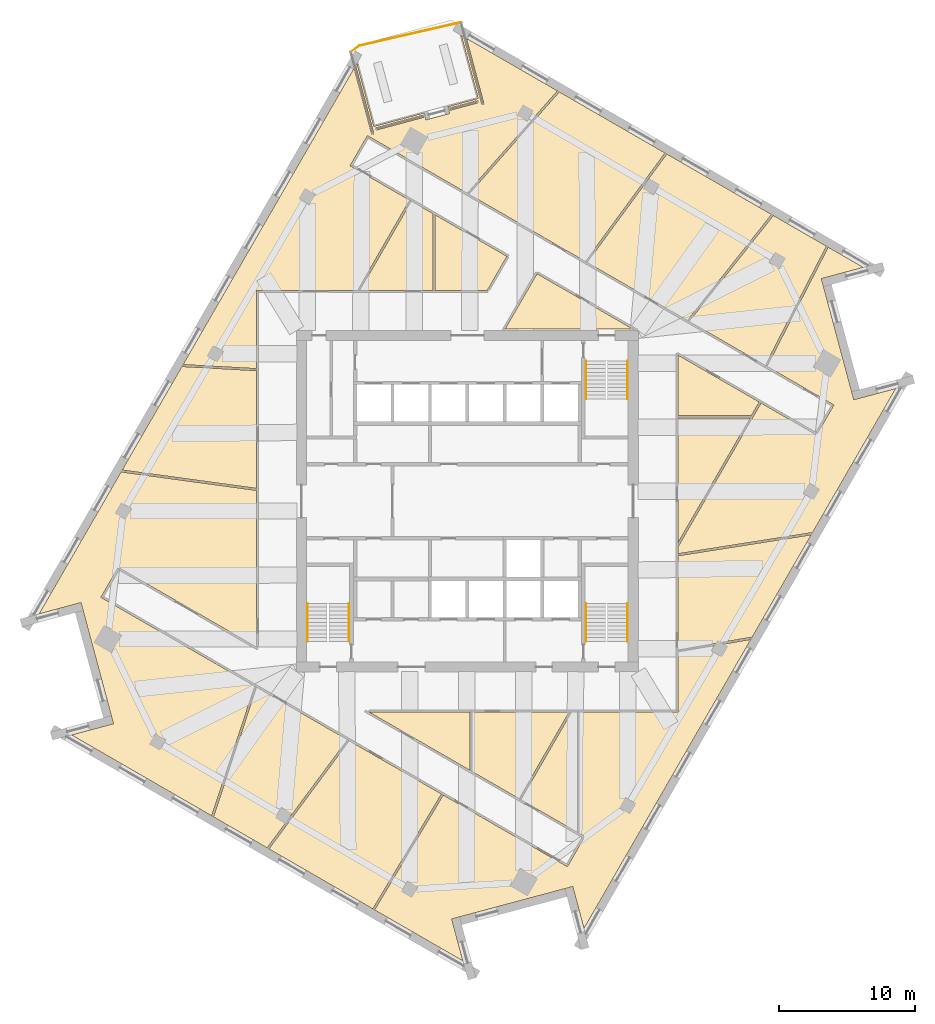
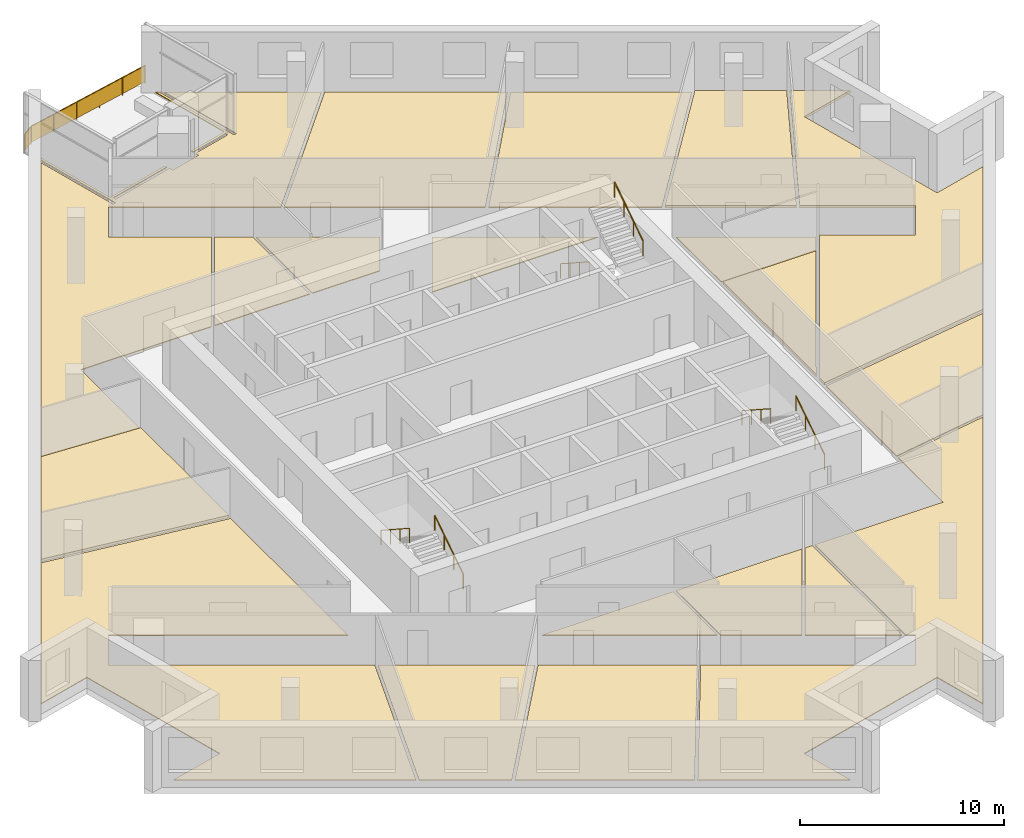
# One storey, part 12 of 13: 19 coverings, 7 railings.
"""IFC4 building model written with IfcOpenShell, lengths in metres."""

from ifc_helpers import new_model, si_unit, direction, frame, origin, origin_2d, place, context, subcontext, project, spatial, polyline, rectangle, circle, outline, extrude, material, layer, layer_set, type_object, element, save


model = new_model("IFC4")

# Units and contexts
model_context = context("Model", 3, precision=1e-05, world=origin(), true_north=direction((0.0, 1.0)))
body_context = subcontext(model_context, "Body", "Model", "MODEL_VIEW")
ifc_project = project(units=[si_unit("LENGTHUNIT", "METRE"), si_unit("AREAUNIT", "SQUARE_METRE"), si_unit("VOLUMEUNIT", "CUBIC_METRE"), si_unit("PLANEANGLEUNIT", "RADIAN"), si_unit("MASSUNIT", "GRAM", prefix="KILO")], contexts=[model_context])

# Site, building, storey
site_placement = place(None, origin())
site = spatial("IfcSite", under=ifc_project, at=site_placement, CompositionType="ELEMENT")
building_placement = place(site_placement, origin())
building = spatial("IfcBuilding", under=site, at=building_placement, Name="Dilmun Exchange Tower", CompositionType="ELEMENT")
storey_placement = place(building_placement, frame((0.0, 0.0, 266.89990234375)))
storey = spatial("IfcBuildingStorey", under=building, at=storey_placement, Name="L63", CompositionType="ELEMENT", Elevation=266.89990234375)

# Coverings
ifc_material_1 = material(Name="Carpet floor finish 50")
ifc_layer_1 = layer(ifc_material_1, 0.050048828125)
ifc_layer_set_1 = layer_set([ifc_layer_1], Name="Carpet floor finish 50")
covering_type_1 = type_object("IfcCoveringType", Name="Carpet floor finish 50", PredefinedType="FLOORING", material=ifc_layer_set_1)
covering_1_placement = place(storey_placement, origin())
element("IfcCovering", 1, at=covering_1_placement, inside=storey, type_object=covering_type_1, Name="Carpet floor finish 50 Supervision hall", PredefinedType="FLOORING", context=body_context, shape_type="SweptSolid", body=[
    extrude(outline(polyline([(-15.47509765625, 0.7880859375), (-15.47509765625, -10.720703125), (-25.63671875, -4.853759765625), (-26.91162109375, -7.062255859375), (-15.615234375, -13.583984375), (-18.777587890625, -23.1044921875), (-29.066162109375, -17.16455078125), (-25.992431640625, -16.3408203125), (-25.9921875, -16.3408203125), (-25.9921875, -16.3408203125), (-25.991943359375, -16.3408203125), (-25.99169921875, -16.340576171875), (-25.99169921875, -16.34033203125), (-25.991455078125, -16.34033203125), (-25.9912109375, -16.340087890625), (-25.9912109375, -16.340087890625), (-25.9912109375, -16.33984375), (-25.9912109375, -16.339599609375), (-25.990966796875, -16.33935546875), (-25.990966796875, -16.339111328125), (-25.990966796875, -16.339111328125), (-25.990966796875, -16.3388671875), (-25.990966796875, -16.338623046875), (-25.990966796875, -16.33837890625), (-26.146240234375, -15.7587890625), (-28.216796875, -8.031982421875), (-28.216796875, -8.031982421875), (-28.216796875, -8.03173828125), (-28.216796875, -8.03173828125), (-28.216796875, -8.031494140625), (-28.3720703125, -7.451904296875), (-28.372314453125, -7.45166015625), (-28.372314453125, -7.451416015625), (-28.372314453125, -7.451416015625), (-28.37255859375, -7.451171875), (-28.37255859375, -7.451171875), (-28.372802734375, -7.450927734375), (-28.372802734375, -7.45068359375), (-28.373046875, -7.45068359375), (-28.373291015625, -7.45068359375), (-28.373291015625, -7.450439453125), (-28.37353515625, -7.450439453125), (-28.373779296875, -7.450439453125), (-28.3740234375, -7.450439453125), (-28.374267578125, -7.450439453125), (-28.37451171875, -7.450439453125), (-28.37451171875, -7.450439453125), (-31.448486328125, -8.274169921875), (-25.431396484375, 2.147216796875), (-15.47509765625, 0.7880859375)])), origin(), (0.0, 0.0, 1.0), 0.050048828125),
])
covering_2_placement = place(storey_placement, origin())
element("IfcCovering", 2, at=covering_2_placement, inside=storey, type_object=covering_type_1, Name="Carpet floor finish 50 Research library 1", PredefinedType="FLOORING", context=body_context, shape_type="SweptSolid", body=[
    extrude(outline(polyline([(-8.67822265625, -17.589111328125), (-1.904052734375, -21.500244140625), (-6.943359375, -29.93701171875), (-14.57421875, -25.531494140625), (-8.67822265625, -17.589111328125)])), origin(), (0.0, 0.0, 1.0), 0.050048828125),
])
covering_3_placement = place(storey_placement, origin())
element("IfcCovering", 3, at=covering_3_placement, inside=storey, type_object=covering_type_1, Name="Carpet floor finish 50 Garden lounge", PredefinedType="FLOORING", context=body_context, shape_type="SweptSolid", body=[
    extrude(outline(polyline([(-0.0283203125, 22.615966796875), (-7.339599609375, 26.837158203125), (-8.61474609375, 24.62890625), (-4.244140625, 22.10546875), (-8.072021484375, 15.47509765625), (-15.47509765625, 15.47509765625), (-15.47509765625, 9.73193359375), (-20.879638671875, 10.031494140625), (-8.32470703125, 31.77734375), (-7.027099609375, 26.935302734375), (-7.027099609375, 26.93505859375), (-7.027099609375, 26.934814453125), (-7.02685546875, 26.9345703125), (-7.02685546875, 26.9345703125), (-7.026611328125, 26.934326171875), (-7.026611328125, 26.93408203125), (-7.0263671875, 26.93408203125), (-7.026123046875, 26.93408203125), (-7.02587890625, 26.933837890625), (-7.02587890625, 26.933837890625), (-7.025634765625, 26.93359375), (-7.025390625, 26.93359375), (-7.025146484375, 26.93359375), (-7.02490234375, 26.93359375), (-7.02490234375, 26.93359375), (-7.024658203125, 26.933837890625), (-6.8701171875, 26.97509765625), (-6.869873046875, 26.97509765625), (-6.86962890625, 26.975341796875), (-6.86962890625, 26.975341796875), (-6.869384765625, 26.9755859375), (-6.869384765625, 26.9755859375), (-6.869140625, 26.975830078125), (-6.868896484375, 26.975830078125), (-6.868896484375, 26.97607421875), (-6.868896484375, 26.976318359375), (-6.86865234375, 26.9765625), (-6.86865234375, 26.976806640625), (-6.86865234375, 26.976806640625), (-6.86865234375, 26.97705078125), (-6.86865234375, 26.977294921875), (-6.86865234375, 26.977294921875), (-6.86865234375, 26.9775390625), (-8.20849609375, 31.978271484375), (-8.107421875, 32.1533203125), (-6.866455078125, 27.521728515625), (-3.184326171875, 28.50830078125), (-3.147216796875, 28.3701171875), (-6.7568359375, 27.403076171875), (-6.757080078125, 27.40283203125), (-6.75732421875, 27.40283203125), (-6.757568359375, 27.40283203125), (-6.757568359375, 27.402587890625), (-6.7578125, 27.402587890625), (-6.7578125, 27.40234375), (-6.758056640625, 27.402099609375), (-6.758056640625, 27.402099609375), (-6.75830078125, 27.40185546875), (-6.75830078125, 27.401611328125), (-6.75830078125, 27.401611328125), (-6.75830078125, 27.4013671875), (-6.75830078125, 27.401123046875), (-6.75830078125, 27.40087890625), (-6.75830078125, 27.400634765625), (-6.75830078125, 27.400634765625), (-6.716796875, 27.24609375), (-6.716796875, 27.245849609375), (-6.716796875, 27.24560546875), (-6.716796875, 27.24560546875), (-6.716552734375, 27.245361328125), (-6.716552734375, 27.2451171875), (-6.71630859375, 27.2451171875), (-6.71630859375, 27.244873046875), (-6.716064453125, 27.244873046875), (-6.7158203125, 27.24462890625), (-6.715576171875, 27.24462890625), (-6.71533203125, 27.24462890625), (-6.71533203125, 27.244384765625), (-6.715087890625, 27.244384765625), (-6.71484375, 27.244384765625), (-6.714599609375, 27.24462890625), (-6.714599609375, 27.24462890625), (-3.104736328125, 28.2119140625), (-3.04833984375, 28.001220703125), (-3.04833984375, 28.0009765625), (-3.048095703125, 28.000732421875), (-3.048095703125, 28.000732421875), (-3.048095703125, 28.00048828125), (-3.0478515625, 28.00048828125), (-3.0478515625, 28.000244140625), (-3.047607421875, 28.0), (-3.047607421875, 28.0), (-3.04736328125, 28.0), (-3.047119140625, 27.999755859375), (-3.046875, 27.999755859375), (-3.046630859375, 27.999755859375), (-3.04638671875, 27.999755859375), (-3.04638671875, 27.999755859375), (-3.046142578125, 27.999755859375), (-3.0458984375, 27.999755859375), (-1.30712890625, 28.4658203125), (-1.306884765625, 28.4658203125), (-1.306884765625, 28.4658203125), (-1.306640625, 28.4658203125), (-1.306396484375, 28.466064453125), (-1.306396484375, 28.46630859375), (-1.30615234375, 28.46630859375), (-1.30615234375, 28.466552734375), (-1.305908203125, 28.466552734375), (-1.305908203125, 28.466796875), (-1.305908203125, 28.467041015625), (-1.305908203125, 28.46728515625), (-1.305908203125, 28.46728515625), (-1.305908203125, 28.467529296875), (-1.305908203125, 28.4677734375), (-1.305908203125, 28.468017578125), (-1.305908203125, 28.468017578125), (-1.3623046875, 28.6787109375), (0.798583984375, 29.2578125), (0.798828125, 29.2578125), (0.799072265625, 29.2578125), (0.79931640625, 29.2578125), (0.79931640625, 29.258056640625), (0.799560546875, 29.25830078125), (0.799560546875, 29.25830078125), (0.7998046875, 29.258544921875), (0.7998046875, 29.258544921875), (0.7998046875, 29.2587890625), (0.800048828125, 29.259033203125), (0.800048828125, 29.25927734375), (0.800048828125, 29.259521484375), (0.800048828125, 29.259521484375), (0.800048828125, 29.259765625), (0.800048828125, 29.260009765625), (0.800048828125, 29.260009765625), (0.758544921875, 29.414794921875), (0.758544921875, 29.414794921875), (0.758544921875, 29.4150390625), (0.75830078125, 29.415283203125), (0.75830078125, 29.415283203125), (0.75830078125, 29.41552734375), (0.758056640625, 29.415771484375), (0.7578125, 29.415771484375), (0.7578125, 29.416015625), (0.757568359375, 29.416015625), (0.75732421875, 29.416015625), (0.757080078125, 29.416015625), (0.757080078125, 29.416259765625), (0.7568359375, 29.416259765625), (0.756591796875, 29.416259765625), (0.75634765625, 29.416015625), (0.756103515625, 29.416015625), (-1.40478515625, 28.837158203125), (-1.441650390625, 28.975341796875), (0.79150390625, 29.57373046875), (-0.449462890625, 34.205322265625), (-0.2744140625, 34.104248046875), (1.065673828125, 29.103515625), (1.065673828125, 29.103515625), (1.065673828125, 29.103271484375), (1.06591796875, 29.10302734375), (1.06591796875, 29.102783203125), (1.066162109375, 29.102783203125), (1.066162109375, 29.1025390625), (1.06640625, 29.1025390625), (1.06640625, 29.102294921875), (1.066650390625, 29.102294921875), (1.06689453125, 29.102294921875), (1.067138671875, 29.10205078125), (1.0673828125, 29.10205078125), (1.0673828125, 29.10205078125), (1.067626953125, 29.10205078125), (1.06787109375, 29.10205078125), (1.068115234375, 29.102294921875), (1.22265625, 29.1435546875), (1.222900390625, 29.1435546875), (1.222900390625, 29.143798828125), (1.22314453125, 29.143798828125), (1.223388671875, 29.143798828125), (1.223388671875, 29.14404296875), (1.2236328125, 29.144287109375), (1.2236328125, 29.144287109375), (1.223876953125, 29.14453125), (1.223876953125, 29.144775390625), (1.22412109375, 29.14501953125), (1.22412109375, 29.14501953125), (1.22412109375, 29.145263671875), (1.22412109375, 29.1455078125), (1.22412109375, 29.1455078125), (1.22412109375, 29.145751953125), (1.22412109375, 29.14599609375), (-0.073486328125, 33.98828125), (6.613525390625, 30.127685546875), (-0.0283203125, 22.615966796875)])), origin(), (0.0, 0.0, 1.0), 0.050048828125),
])
covering_4_placement = place(storey_placement, origin())
element("IfcCovering", 4, at=covering_4_placement, inside=storey, type_object=covering_type_1, Name="Carpet floor finish 50 Meeting room 1", PredefinedType="FLOORING", context=body_context, shape_type="SweptSolid", body=[
    extrude(outline(polyline([(-4.114013671875, 22.030517578125), (-2.516357421875, 21.10791015625), (-2.516357421875, 15.47509765625), (-7.89892578125, 15.47509765625), (-4.114013671875, 22.030517578125)])), origin(), (0.0, 0.0, 1.0), 0.050048828125),
])
covering_5_placement = place(storey_placement, origin())
element("IfcCovering", 5, at=covering_5_placement, inside=storey, type_object=covering_type_1, Name="Carpet floor finish 50 Meeting room 2", PredefinedType="FLOORING", context=body_context, shape_type="SweptSolid", body=[
    extrude(outline(polyline([(0.203125, -15.47509765625), (0.203125, -19.7724609375), (-7.240234375, -15.47509765625), (0.203125, -15.47509765625)])), origin(), (0.0, 0.0, 1.0), 0.050048828125),
])
covering_6_placement = place(storey_placement, origin())
element("IfcCovering", 6, at=covering_6_placement, inside=storey, type_object=covering_type_1, Name="Carpet floor finish 50 Research library 2", PredefinedType="FLOORING", context=body_context, shape_type="SweptSolid", body=[
    extrude(outline(polyline([(-1.77392578125, -21.575439453125), (7.339599609375, -26.837158203125), (8.61474609375, -24.62890625), (8.21044921875, -24.3955078125), (8.21044921875, -15.47509765625), (15.47509765625, -15.47509765625), (15.47509765625, -11.0693359375), (20.81201171875, -10.148681640625), (8.55859375, -31.3720703125), (7.73486328125, -28.29833984375), (7.73486328125, -28.298095703125), (7.73486328125, -28.298095703125), (7.734619140625, -28.2978515625), (7.734619140625, -28.297607421875), (7.734375, -28.297607421875), (7.734375, -28.29736328125), (7.734130859375, -28.29736328125), (7.73388671875, -28.297119140625), (7.73388671875, -28.297119140625), (7.733642578125, -28.297119140625), (7.7333984375, -28.297119140625), (7.733154296875, -28.297119140625), (7.73291015625, -28.297119140625), (7.73291015625, -28.297119140625), (7.732666015625, -28.297119140625), (7.732421875, -28.297119140625), (7.15283203125, -28.452392578125), (-0.574462890625, -30.522705078125), (-0.57470703125, -30.522705078125), (-0.57470703125, -30.52294921875), (-0.57470703125, -30.52294921875), (-1.154052734375, -30.677978515625), (-1.154296875, -30.67822265625), (-1.154296875, -30.67822265625), (-1.154541015625, -30.67822265625), (-1.15478515625, -30.678466796875), (-1.15478515625, -30.6787109375), (-1.155029296875, -30.6787109375), (-1.155029296875, -30.678955078125), (-1.1552734375, -30.678955078125), (-1.1552734375, -30.67919921875), (-1.155517578125, -30.679443359375), (-1.155517578125, -30.6796875), (-1.155517578125, -30.6796875), (-1.155517578125, -30.679931640625), (-1.155517578125, -30.68017578125), (-1.155517578125, -30.680419921875), (-1.155517578125, -30.6806640625), (-0.331787109375, -33.75439453125), (-6.8134765625, -30.01220703125), (-1.77392578125, -21.575439453125)])), origin(), (0.0, 0.0, 1.0), 0.050048828125),
])
covering_7_placement = place(storey_placement, origin())
element("IfcCovering", 7, at=covering_7_placement, inside=storey, type_object=covering_type_1, Name="Carpet floor finish 50 Research library 3", PredefinedType="FLOORING", context=body_context, shape_type="SweptSolid", body=[
    extrude(outline(polyline([(0.104248046875, 22.53955078125), (6.74609375, 30.051025390625), (14.50927734375, 25.569091796875), (8.65966796875, 17.599853515625), (0.104248046875, 22.53955078125)])), origin(), (0.0, 0.0, 1.0), 0.050048828125),
])
covering_8_placement = place(storey_placement, origin())
element("IfcCovering", 8, at=covering_8_placement, inside=storey, type_object=covering_type_1, Name="Carpet floor finish 50 Regulator office", PredefinedType="FLOORING", context=body_context, shape_type="SweptSolid", body=[
    extrude(outline(polyline([(16.15283203125, 13.273681640625), (8.790283203125, 17.5244140625), (14.639892578125, 25.49365234375), (22.335693359375, 21.050537109375), (16.15283203125, 13.273681640625)])), origin(), (0.0, 0.0, 1.0), 0.050048828125),
])
covering_9_placement = place(storey_placement, origin())
element("IfcCovering", 9, at=covering_9_placement, inside=storey, type_object=covering_type_1, Name="Carpet floor finish 50 Training room", PredefinedType="FLOORING", context=body_context, shape_type="SweptSolid", body=[
    extrude(outline(polyline([(15.47509765625, -10.9169921875), (15.47509765625, -4.0087890625), (25.245361328125, -2.469970703125), (20.90966796875, -9.9794921875), (15.47509765625, -10.9169921875)])), origin(), (0.0, 0.0, 1.0), 0.050048828125),
])
ifc_material_2 = material(Name="Raised access floor 150")
ifc_layer_2 = layer(ifc_material_2, 0.14990234375)
ifc_layer_set_2 = layer_set([ifc_layer_2], Name="Raised access floor 150")
covering_type_2 = type_object("IfcCoveringType", Name="Raised access floor 150", PredefinedType="FLOORING", material=ifc_layer_set_2)
covering_10_placement = place(storey_placement, origin())
element("IfcCovering", 10, at=covering_10_placement, inside=storey, type_object=covering_type_2, Name="Raised access floor 150 Analytics room 1", PredefinedType="FLOORING", context=body_context, shape_type="SweptSolid", body=[
    extrude(outline(polyline([(-15.47509765625, 9.581787109375), (-15.47509765625, 0.939453125), (-25.3505859375, 2.28759765625), (-20.963623046875, 9.885986328125), (-15.47509765625, 9.581787109375)])), origin(), (0.0, 0.0, 1.0), 0.150146484375),
])
covering_11_placement = place(storey_placement, origin())
element("IfcCovering", 11, at=covering_11_placement, inside=storey, type_object=covering_type_2, Name="Raised access floor 150 Data room", PredefinedType="FLOORING", context=body_context, shape_type="SweptSolid", body=[
    extrude(outline(polyline([(20.762451171875, 6.125244140625), (15.47509765625, -3.032958984375), (15.47509765625, 6.125244140625), (20.762451171875, 6.125244140625)])), origin(), (0.0, 0.0, 1.0), 0.150146484375),
])
covering_12_placement = place(storey_placement, origin())
element("IfcCovering", 12, at=covering_12_placement, inside=storey, type_object=covering_type_2, Name="Raised access floor 150 Analytics room 2", PredefinedType="FLOORING", context=body_context, shape_type="SweptSolid", body=[
    extrude(outline(polyline([(21.869873046875, 9.972900390625), (16.2841796875, 13.197998046875), (22.466796875, 20.974609375), (26.36181640625, 18.725830078125), (21.869873046875, 9.972900390625)])), origin(), (0.0, 0.0, 1.0), 0.150146484375),
])
covering_13_placement = place(storey_placement, origin())
element("IfcCovering", 13, at=covering_13_placement, inside=storey, type_object=covering_type_2, Name="Raised access floor 150 Analytics room 3", PredefinedType="FLOORING", context=body_context, shape_type="SweptSolid", body=[
    extrude(outline(polyline([(25.63671875, 4.853759765625), (26.91162109375, 7.062255859375), (22.0, 9.89794921875), (26.491943359375, 18.65087890625), (29.066162109375, 17.16455078125), (25.992431640625, 16.3408203125), (25.9921875, 16.3408203125), (25.9921875, 16.3408203125), (25.991943359375, 16.3408203125), (25.99169921875, 16.340576171875), (25.99169921875, 16.34033203125), (25.991455078125, 16.34033203125), (25.9912109375, 16.340087890625), (25.9912109375, 16.340087890625), (25.9912109375, 16.33984375), (25.9912109375, 16.339599609375), (25.990966796875, 16.33935546875), (25.990966796875, 16.339111328125), (25.990966796875, 16.339111328125), (25.990966796875, 16.3388671875), (25.990966796875, 16.338623046875), (25.990966796875, 16.33837890625), (26.146240234375, 15.7587890625), (28.216796875, 8.031982421875), (28.216796875, 8.031982421875), (28.216796875, 8.03173828125), (28.216796875, 8.03173828125), (28.216796875, 8.031494140625), (28.3720703125, 7.451904296875), (28.372314453125, 7.45166015625), (28.372314453125, 7.451416015625), (28.372314453125, 7.451416015625), (28.37255859375, 7.451171875), (28.37255859375, 7.451171875), (28.372802734375, 7.450927734375), (28.372802734375, 7.45068359375), (28.373046875, 7.45068359375), (28.373291015625, 7.45068359375), (28.373291015625, 7.450439453125), (28.37353515625, 7.450439453125), (28.373779296875, 7.450439453125), (28.3740234375, 7.450439453125), (28.374267578125, 7.450439453125), (28.37451171875, 7.450439453125), (28.37451171875, 7.450439453125), (31.448486328125, 8.274169921875), (25.341796875, -2.302978515625), (15.47509765625, -3.856689453125), (15.47509765625, -3.3330078125), (21.560302734375, 7.207275390625), (25.63671875, 4.853759765625)])), origin(), (0.0, 0.0, 1.0), 0.150146484375),
])

# Railings
ifc_material_3 = material(Name="Stainless steel", Category="steel")
railing_type_1 = type_object("IfcRailingType", Name="Stair handrail 900", PredefinedType="HANDRAIL", material=ifc_material_3)
railing_1_placement = place(storey_placement, frame((8.699951171875, 10.300048828125, 0.181884765625)))
element("IfcRailing", 14, at=railing_1_placement, inside=storey, type_object=railing_type_1, Name="L63 ST1 stair handrail 1", PredefinedType="HANDRAIL", context=body_context, shape_type="SweptSolid", body=[
    extrude(circle(Radius=0.02392578125, at=origin_2d()), frame((0.0, 0.0, 0.8759765625), z_axis=(0.0, -0.838705829183, 0.544584733623), x_axis=(1.0, 0.0, 0.0)), (0.0, 0.0, 1.0), 3.338623046875),
    extrude(circle(Radius=0.02099609375, at=origin_2d()), origin(), (0.0, 0.0, 1.0), 0.851806640625),
    extrude(circle(Radius=0.02099609375, at=origin_2d()), frame((0.0, -0.933349609375, 0.60595703125)), (0.0, 0.0, 1.0), 0.851806640625),
    extrude(circle(Radius=0.02099609375, at=origin_2d()), frame((0.0, -1.86669921875, 1.212158203125)), (0.0, 0.0, 1.0), 0.851806640625),
    extrude(circle(Radius=0.02099609375, at=origin_2d()), frame((0.0, -2.800048828125, 1.818115234375)), (0.0, 0.0, 1.0), 0.851806640625),
])
for number, where, name in (
    (15, (11.75, 7.5, 2.181884765625), "L63 ST1 stair handrail 2"),
    (16, (-8.699951171875, -10.300048828125, 0.181884765625), "L63 ST2 stair handrail 1"),
):
    element("IfcRailing", number, at=place(storey_placement, frame(where)), inside=storey, type_object=railing_type_1, Name=name, PredefinedType="HANDRAIL", context=body_context, shape_type="SweptSolid", body=[
        extrude(circle(Radius=0.02392578125, at=origin_2d()), frame((0.0, 0.0, 0.8759765625), z_axis=(0.0, 0.838705829183, 0.544584733623), x_axis=(-1.0, 0.0, 0.0)), (0.0, 0.0, 1.0), 3.338623046875),
        extrude(circle(Radius=0.02099609375, at=origin_2d()), origin(), (0.0, 0.0, 1.0), 0.851806640625),
        extrude(circle(Radius=0.02099609375, at=origin_2d()), frame((0.0, 0.933349609375, 0.60595703125)), (0.0, 0.0, 1.0), 0.851806640625),
        extrude(circle(Radius=0.02099609375, at=origin_2d()), frame((0.0, 1.86669921875, 1.212158203125)), (0.0, 0.0, 1.0), 0.851806640625),
        extrude(circle(Radius=0.02099609375, at=origin_2d()), frame((0.0, 2.800048828125, 1.818115234375)), (0.0, 0.0, 1.0), 0.851806640625),
    ])
railing_2_placement = place(storey_placement, frame((-11.75, -7.5, 2.181884765625)))
element("IfcRailing", 17, at=railing_2_placement, inside=storey, type_object=railing_type_1, Name="L63 ST2 stair handrail 2", PredefinedType="HANDRAIL", context=body_context, shape_type="SweptSolid", body=[
    extrude(circle(Radius=0.02392578125, at=origin_2d()), frame((0.0, 0.0, 0.8759765625), z_axis=(0.0, -0.838705829183, 0.544584733623), x_axis=(1.0, 0.0, 0.0)), (0.0, 0.0, 1.0), 3.338623046875),
    extrude(circle(Radius=0.02099609375, at=origin_2d()), origin(), (0.0, 0.0, 1.0), 0.851806640625),
    extrude(circle(Radius=0.02099609375, at=origin_2d()), frame((0.0, -0.933349609375, 0.60595703125)), (0.0, 0.0, 1.0), 0.851806640625),
    extrude(circle(Radius=0.02099609375, at=origin_2d()), frame((0.0, -1.86669921875, 1.212158203125)), (0.0, 0.0, 1.0), 0.851806640625),
    extrude(circle(Radius=0.02099609375, at=origin_2d()), frame((0.0, -2.800048828125, 1.818115234375)), (0.0, 0.0, 1.0), 0.851806640625),
])
railing_3_placement = place(storey_placement, frame((11.75, -10.300048828125, 0.181884765625)))
element("IfcRailing", 18, at=railing_3_placement, inside=storey, type_object=railing_type_1, Name="L63 ST3 stair handrail 1", PredefinedType="HANDRAIL", context=body_context, shape_type="SweptSolid", body=[
    extrude(circle(Radius=0.02392578125, at=origin_2d()), frame((0.0, 0.0, 0.8759765625), z_axis=(0.0, 0.838705829183, 0.544584733623), x_axis=(-1.0, 0.0, 0.0)), (0.0, 0.0, 1.0), 3.338623046875),
    extrude(circle(Radius=0.02099609375, at=origin_2d()), origin(), (0.0, 0.0, 1.0), 0.851806640625),
    extrude(circle(Radius=0.02099609375, at=origin_2d()), frame((0.0, 0.933349609375, 0.60595703125)), (0.0, 0.0, 1.0), 0.851806640625),
    extrude(circle(Radius=0.02099609375, at=origin_2d()), frame((0.0, 1.86669921875, 1.212158203125)), (0.0, 0.0, 1.0), 0.851806640625),
    extrude(circle(Radius=0.02099609375, at=origin_2d()), frame((0.0, 2.800048828125, 1.818115234375)), (0.0, 0.0, 1.0), 0.851806640625),
])
railing_4_placement = place(storey_placement, frame((8.699951171875, -7.5, 2.181884765625)))
element("IfcRailing", 19, at=railing_4_placement, inside=storey, type_object=railing_type_1, Name="L63 ST3 stair handrail 2", PredefinedType="HANDRAIL", context=body_context, shape_type="SweptSolid", body=[
    extrude(circle(Radius=0.02392578125, at=origin_2d()), frame((0.0, 0.0, 0.8759765625), z_axis=(0.0, -0.838705829183, 0.544584733623), x_axis=(1.0, 0.0, 0.0)), (0.0, 0.0, 1.0), 3.338623046875),
    extrude(circle(Radius=0.02099609375, at=origin_2d()), origin(), (0.0, 0.0, 1.0), 0.851806640625),
    extrude(circle(Radius=0.02099609375, at=origin_2d()), frame((0.0, -0.933349609375, 0.60595703125)), (0.0, 0.0, 1.0), 0.851806640625),
    extrude(circle(Radius=0.02099609375, at=origin_2d()), frame((0.0, -1.86669921875, 1.212158203125)), (0.0, 0.0, 1.0), 0.851806640625),
    extrude(circle(Radius=0.02099609375, at=origin_2d()), frame((0.0, -2.800048828125, 1.818115234375)), (0.0, 0.0, 1.0), 0.851806640625),
])

# Coverings
ifc_material_4 = material(Name="Stone floor finish 50", Category="masonry")
ifc_layer_3 = layer(ifc_material_4, 0.050048828125)
ifc_layer_set_3 = layer_set([ifc_layer_3], Name="Stone floor finish 50")
covering_type_3 = type_object("IfcCoveringType", Name="Stone floor finish 50", PredefinedType="FLOORING", material=ifc_layer_set_3)
covering_14_placement = place(storey_placement, origin())
element("IfcCovering", 20, at=covering_14_placement, inside=storey, type_object=covering_type_3, Name="Stone floor finish 50 Reception 1", PredefinedType="FLOORING", context=body_context, shape_type="SweptSolid", body=[
    extrude(outline(polyline([(-15.482666015625, -13.66064453125), (-8.80908203125, -17.513671875), (-14.705078125, -25.4560546875), (-18.64501953125, -23.18115234375), (-15.482666015625, -13.66064453125)])), origin(), (0.0, 0.0, 1.0), 0.050048828125),
])
covering_15_placement = place(storey_placement, origin())
element("IfcCovering", 21, at=covering_15_placement, inside=storey, type_object=covering_type_3, Name="Stone floor finish 50 Reception 2", PredefinedType="FLOORING", context=body_context, shape_type="SweptSolid", body=[
    extrude(outline(polyline([(-2.366455078125, 21.021240234375), (2.903564453125, 17.978759765625), (1.4580078125, 15.47509765625), (-2.366455078125, 15.47509765625), (-2.366455078125, 21.021240234375)])), origin(), (0.0, 0.0, 1.0), 0.050048828125),
])
covering_16_placement = place(storey_placement, origin())
element("IfcCovering", 22, at=covering_16_placement, inside=storey, type_object=covering_type_3, Name="Stone floor finish 50 Reception 3", PredefinedType="FLOORING", context=body_context, shape_type="SweptSolid", body=[
    extrude(outline(polyline([(8.060546875, -15.47509765625), (8.060546875, -24.308837890625), (3.927490234375, -21.922607421875), (7.64990234375, -15.47509765625), (8.060546875, -15.47509765625)])), origin(), (0.0, 0.0, 1.0), 0.050048828125),
])

# Railing
railing_type_2 = type_object("IfcRailingType", Name="Terrace guard 1100 stainless steel", PredefinedType="GUARDRAIL", material=ifc_material_3)
railing_5_placement = place(storey_placement, frame((-8.564697265625, 32.989990234375, 0.0)))
element("IfcRailing", 23, at=railing_5_placement, inside=storey, type_object=railing_type_2, Name="Terrace guard 1", PredefinedType="GUARDRAIL", context=body_context, shape_type="SweptSolid", body=[
    extrude(circle(Radius=0.02392578125, at=origin_2d()), frame((0.0, 0.0, 1.076171875), z_axis=(0.815970116791, 0.578094082744, 0.0), x_axis=(-0.578094082744, 0.815970116791, 0.0)), (0.0, 0.0, 1.0), 0.79443359375),
    extrude(rectangle(XDim=0.011962890625, YDim=0.951904296875, at=origin_2d()), frame((0.0, 0.0, 0.576171875), z_axis=(0.815970116791, 0.578094082744, 0.0), x_axis=(-0.578094082744, 0.815970116791, 0.0)), (0.0, 0.0, 1.0), 0.79443359375),
    extrude(circle(Radius=0.02392578125, at=origin_2d()), frame((0.648193359375, 0.459228515625, 1.076171875), z_axis=(0.974641622143, 0.223771554016, 0.0), x_axis=(-0.223771554016, 0.974641622143, 0.0)), (0.0, 0.0, 1.0), 7.63818359375),
    extrude(rectangle(XDim=0.011962890625, YDim=0.951904296875, at=origin_2d()), frame((0.648193359375, 0.459228515625, 0.576171875), z_axis=(0.974641622143, 0.223771554016, 0.0), x_axis=(-0.223771554016, 0.974641622143, 0.0)), (0.0, 0.0, 1.0), 7.63818359375),
    extrude(circle(Radius=0.02099609375, at=origin_2d()), origin(), (0.0, 0.0, 1.0), 1.052001953125),
    extrude(circle(Radius=0.02099609375, at=origin_2d()), frame((0.648193359375, 0.459228515625, 0.0)), (0.0, 0.0, 1.0), 1.052001953125),
    extrude(circle(Radius=0.02099609375, at=origin_2d()), frame((2.13720703125, 0.801025390625, 0.0)), (0.0, 0.0, 1.0), 1.052001953125),
    extrude(circle(Radius=0.02099609375, at=origin_2d()), frame((3.6259765625, 1.142822265625, 0.0)), (0.0, 0.0, 1.0), 1.052001953125),
    extrude(circle(Radius=0.02099609375, at=origin_2d()), frame((5.114990234375, 1.48486328125, 0.0)), (0.0, 0.0, 1.0), 1.052001953125),
    extrude(circle(Radius=0.02099609375, at=origin_2d()), frame((6.603759765625, 1.82666015625, 0.0)), (0.0, 0.0, 1.0), 1.052001953125),
    extrude(circle(Radius=0.02099609375, at=origin_2d()), frame((8.0927734375, 2.16845703125, 0.0)), (0.0, 0.0, 1.0), 1.052001953125),
])

# Coverings
ifc_material_5 = material(Name="Tile floor finish 50")
ifc_layer_4 = layer(ifc_material_5, 0.050048828125)
ifc_layer_set_4 = layer_set([ifc_layer_4], Name="Tile floor finish 50")
covering_type_4 = type_object("IfcCoveringType", Name="Tile floor finish 50", PredefinedType="FLOORING", material=ifc_layer_set_4)
covering_17_placement = place(storey_placement, origin())
element("IfcCovering", 24, at=covering_17_placement, inside=storey, type_object=covering_type_4, Name="Tile floor finish 50 Pantry 1", PredefinedType="FLOORING", context=body_context, shape_type="SweptSolid", body=[
    extrude(outline(polyline([(0.353271484375, -15.47509765625), (7.476806640625, -15.47509765625), (3.797607421875, -21.84765625), (0.353271484375, -19.85888671875), (0.353271484375, -15.47509765625)])), origin(), (0.0, 0.0, 1.0), 0.050048828125),
])
covering_18_placement = place(storey_placement, origin())
element("IfcCovering", 25, at=covering_18_placement, inside=storey, type_object=covering_type_4, Name="Tile floor finish 50 Pantry 2", PredefinedType="FLOORING", context=body_context, shape_type="SweptSolid", body=[
    extrude(outline(polyline([(12.176513671875, 12.625), (2.757080078125, 12.625), (5.112060546875, 16.70361328125), (12.176513671875, 12.625)])), origin(), (0.0, 0.0, 1.0), 0.050048828125),
])
covering_19_placement = place(storey_placement, origin())
element("IfcCovering", 26, at=covering_19_placement, inside=storey, type_object=covering_type_4, Name="Tile floor finish 50 Pantry 3", PredefinedType="FLOORING", context=body_context, shape_type="SweptSolid", body=[
    extrude(outline(polyline([(21.430419921875, 7.2822265625), (20.84912109375, 6.275146484375), (15.47509765625, 6.275146484375), (15.47509765625, 10.720703125), (21.430419921875, 7.2822265625)])), origin(), (0.0, 0.0, 1.0), 0.050048828125),
])

save(model, "model.ifc")
